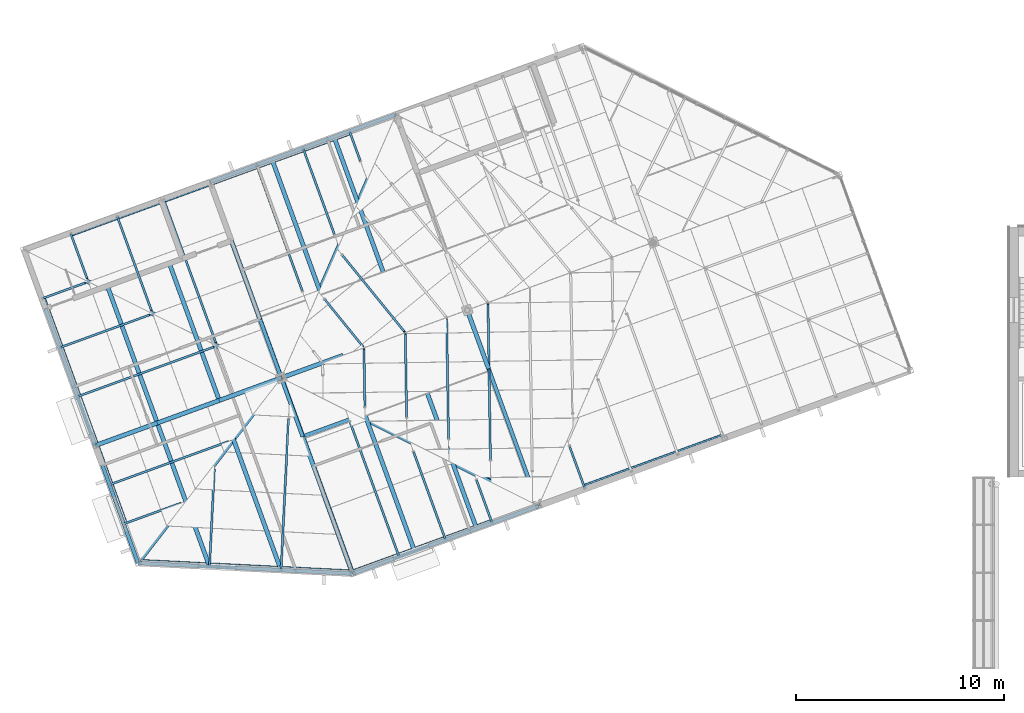
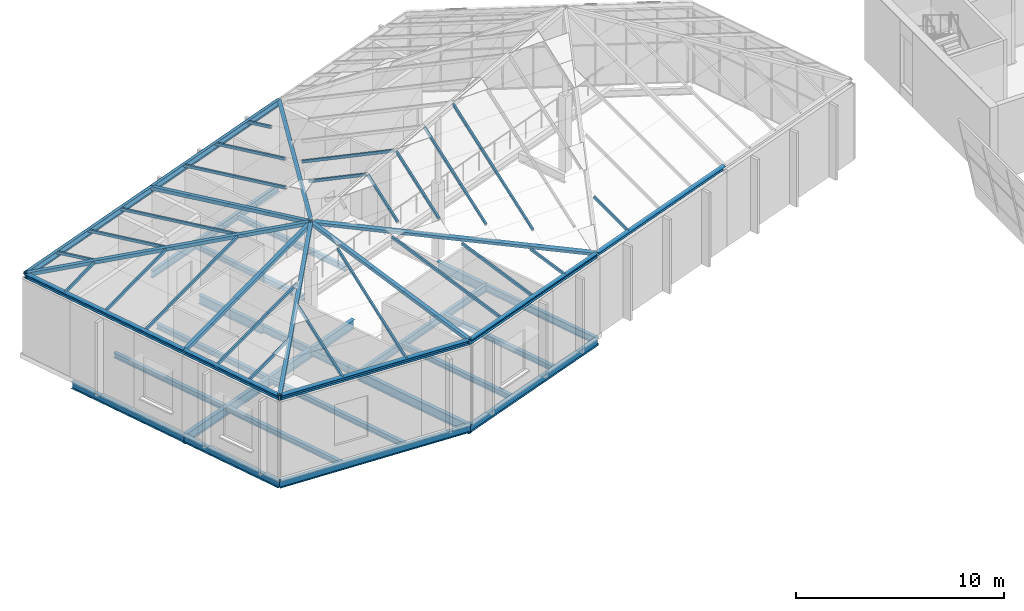
# One storey, part 21 of 95: 31 beams, 30 members.
"""IFC4 building model written with IfcOpenShell, lengths in metres."""

import ifcopenshell
import ifcopenshell.guid

model = None  # the IFC model being written
_history = None  # IfcOwnerHistory: only IFC2X3 demands one
_inside = {}  # id of a spatial element -> (the spatial element, [elements in it])
_under = {}  # id of a project, library or spatial element -> (it, [spatial elements below it])
_declared = {}  # id of a project -> (the project, [libraries it declares])
_typed = {}  # id of a type object -> (the type object, [elements of that type])
_made_of = {}  # id of a material, layer set ... -> (it, [elements and type objects made of it])


def new_model(schema):
    """Start an empty IFC model of exactly this schema.

    Asked for "IFC4X3", IfcOpenShell would pick the latest addendum, in which some entities
    have other attributes; the version numbers below select the first issue.
    IFC2X3 requires an IfcOwnerHistory on every rooted entity: one is made here for all.
    """
    global model, _history
    if schema == "IFC4X3":
        model = ifcopenshell.file(schema_version=(4, 3, 0, 0))
    else:
        model = ifcopenshell.file(schema=schema)
    _inside.clear()
    _under.clear()
    _declared.clear()
    _typed.clear()
    _made_of.clear()
    _history = None
    if model.schema == "IFC2X3":
        org = make("IfcOrganization", Name="unknown")
        user = make(
            "IfcPersonAndOrganization",
            ThePerson=make("IfcPerson", FamilyName="unknown"),
            TheOrganization=org,
        )
        app = make(
            "IfcApplication",
            ApplicationDeveloper=org,
            Version="unknown",
            ApplicationFullName="unknown",
            ApplicationIdentifier="unknown",
        )
        _history = make(
            "IfcOwnerHistory",
            OwningUser=user,
            OwningApplication=app,
            ChangeAction="ADDED",
            CreationDate=0,
        )
    return model


def make(cls, **values):
    """One entity of the class cls with the attributes given. An attribute that is None is left unset."""
    return model.create_entity(
        cls, **{name: value for name, value in values.items() if value is not None}
    )


def rooted(cls, **values):
    """An entity with a GlobalId (a new one), such as an element, a storey or a relation."""
    return make(cls, GlobalId=ifcopenshell.guid.new(), OwnerHistory=_history, **values)


def si_unit(unit_type, name, prefix=None):
    """IfcSIUnit, for example si_unit("LENGTHUNIT", "METRE", prefix="MILLI")."""
    return make("IfcSIUnit", UnitType=unit_type, Prefix=prefix, Name=name)


def assignment(units):
    """IfcUnitAssignment: the units of a project."""
    return None if units is None else make("IfcUnitAssignment", Units=units)


def point(xyz):
    """IfcCartesianPoint."""
    return None if xyz is None else make("IfcCartesianPoint", Coordinates=xyz)


def direction(xyz):
    """IfcDirection."""
    return None if xyz is None else make("IfcDirection", DirectionRatios=xyz)


def frame(location, z_axis=None, x_axis=None):
    """IfcAxis2Placement3D, a coordinate frame: its origin and axes. An axis left out is left unset."""
    return make(
        "IfcAxis2Placement3D",
        Location=point(location),
        Axis=direction(z_axis),
        RefDirection=direction(x_axis),
    )


def frame_2d(location, x_axis=None):
    """IfcAxis2Placement2D, a coordinate frame in the plane: its origin and x axis."""
    return make(
        "IfcAxis2Placement2D", Location=point(location), RefDirection=direction(x_axis)
    )


def origin():
    """The frame at (0, 0, 0) with its axes left unset."""
    return frame((0.0, 0.0, 0.0))


def origin_2d():
    """The frame at (0, 0) in the plane with its x axis left unset."""
    return frame_2d((0.0, 0.0))


def place(relative_to, where):
    """IfcLocalPlacement: puts the frame where relative to a parent placement (None: the world)."""
    return make(
        "IfcLocalPlacement", PlacementRelTo=relative_to, RelativePlacement=where
    )


def context(
    kind, dimensions, precision=None, world=None, true_north=None, identifier=None
):
    """IfcGeometricRepresentationContext, for example the 3D "Model" context."""
    return make(
        "IfcGeometricRepresentationContext",
        ContextIdentifier=identifier,
        ContextType=kind,
        CoordinateSpaceDimension=dimensions,
        Precision=precision,
        WorldCoordinateSystem=world,
        TrueNorth=true_north,
    )


def subcontext(parent, identifier, kind, view, scale=None):
    """IfcGeometricRepresentationSubContext, for example "Body" below "Model"."""
    return make(
        "IfcGeometricRepresentationSubContext",
        ContextIdentifier=identifier,
        ContextType=kind,
        ParentContext=parent,
        TargetScale=scale,
        TargetView=view,
    )


def project(units=None, contexts=None):
    """IfcProject with its units and contexts."""
    return rooted(
        "IfcProject",
        Name="project",
        RepresentationContexts=contexts,
        UnitsInContext=assignment(units),
    )


def spatial(cls, under=None, at=None, **own):
    """A site, building, storey or space (cls), placed at a placement, below another one or the project."""
    s = rooted(cls, ObjectPlacement=at, **own)
    if under is not None:
        _under.setdefault(under.id(), (under, []))[1].append(s)
    return s


def profile(cls, at=None, kind="AREA", **sizes):
    """A parametric profile (cls). Its sizes go by their IFC names, for example OverallWidth=200.0."""
    return make(cls, ProfileType=kind, Position=at, **sizes)


def hollow_rectangle(**sizes):
    """IfcRectangleHollowProfileDef."""
    return profile("IfcRectangleHollowProfileDef", **sizes)


def i_section(**sizes):
    """IfcIShapeProfileDef."""
    return profile("IfcIShapeProfileDef", **sizes)


def extrude(swept, where, along, depth):
    """IfcExtrudedAreaSolid: the profile swept, set in the frame where, extruded along a direction by depth."""
    return make(
        "IfcExtrudedAreaSolid",
        SweptArea=swept,
        Position=where,
        ExtrudedDirection=direction(along),
        Depth=depth,
    )


def shape(context_of_items, identifier, shape_type, items):
    """IfcShapeRepresentation: the items that make up one representation, for example the "Body"."""
    return make(
        "IfcShapeRepresentation",
        ContextOfItems=context_of_items,
        RepresentationIdentifier=identifier,
        RepresentationType=shape_type,
        Items=items,
    )


def material(Name=None, Category=None):
    """IfcMaterial."""
    return make("IfcMaterial", Name=Name, Category=Category)


def material_profile(
    of_material, cross_section, Name=None, Category=None, Priority=None
):
    """IfcMaterialProfile: a cross section and its material."""
    return make(
        "IfcMaterialProfile",
        Name=Name,
        Material=of_material,
        Profile=cross_section,
        Priority=Priority,
        Category=Category,
    )


def profile_set(profiles, Name=None, composite=None):
    """IfcMaterialProfileSet."""
    return make(
        "IfcMaterialProfileSet",
        Name=Name,
        MaterialProfiles=profiles,
        CompositeProfile=composite,
    )


def made_of(thing, what):
    """Note that an element or type object is made of a material, layer set ...; save() writes the relation."""
    if what is not None:
        _made_of.setdefault(what.id(), (what, []))[1].append(thing)
    return thing


def type_object(cls, material=None, **own):
    """A type object (cls), such as IfcWallType, which elements share."""
    return made_of(rooted(cls, **own), material)


def element(
    cls,
    number,
    at=None,
    inside=None,
    cuts=None,
    type_object=None,
    material=None,
    context=None,
    identifier="Body",
    shape_type=None,
    held_by="IfcProductDefinitionShape",
    body=None,
    shapes=None,
    **own,
):
    """One element of the class cls, such as IfcWall. Its Tag is "e" and its number.

    at: its placement. inside: the storey or other place that contains it. cuts: it is an
    opening in that element (IfcRelVoidsElement). A single representation is given by context,
    identifier, shape_type and body (its items); several are given by shapes. held_by: the class
    of the entity that holds the representations. save() writes the other relations.
    """
    e = rooted(cls, Tag="e%d" % number, ObjectPlacement=at, **own)
    if body is not None:
        shapes = [shape(context, identifier, shape_type, body)]
    if shapes is not None:
        e.Representation = make(held_by, Representations=shapes)
    if inside is not None:
        _inside.setdefault(inside.id(), (inside, []))[1].append(e)
    if cuts is not None:
        rooted(
            "IfcRelVoidsElement", RelatingBuildingElement=cuts, RelatedOpeningElement=e
        )
    if type_object is not None:
        _typed.setdefault(type_object.id(), (type_object, []))[1].append(e)
    return made_of(e, material)


def aggregate(whole, parts):
    """IfcRelAggregates: a whole, such as a stair, and the parts it consists of."""
    return rooted("IfcRelAggregates", RelatingObject=whole, RelatedObjects=parts)


def save(model, path):
    """Write the relations noted so far, then the file.

    IfcRelAggregates (storeys below a building ...), IfcRelContainedInSpatialStructure (elements
    in a storey), IfcRelDefinesByType, IfcRelAssociatesMaterial and IfcRelDeclares: one each for
    every whole, place, type object, material and project.
    """
    for whole, parts in _under.values():
        aggregate(whole, parts)
    for where, things in _inside.values():
        rooted(
            "IfcRelContainedInSpatialStructure",
            RelatedElements=things,
            RelatingStructure=where,
        )
    for kind, things in _typed.values():
        rooted("IfcRelDefinesByType", RelatedObjects=things, RelatingType=kind)
    for what, things in _made_of.values():
        rooted("IfcRelAssociatesMaterial", RelatedObjects=things, RelatingMaterial=what)
    for by, libraries in _declared.values():
        rooted("IfcRelDeclares", RelatingContext=by, RelatedDefinitions=libraries)
    model.write(path)


model = new_model("IFC4")

# Units and contexts
model_context = context("Model", 3, precision=1e-05, world=origin(), true_north=direction((0.0, 1.0)))
body_context = subcontext(model_context, "Body", "Model", "MODEL_VIEW")
ifc_project = project(units=[si_unit("LENGTHUNIT", "METRE"), si_unit("AREAUNIT", "SQUARE_METRE"), si_unit("VOLUMEUNIT", "CUBIC_METRE"), si_unit("PLANEANGLEUNIT", "RADIAN"), si_unit("MASSUNIT", "GRAM", prefix="KILO")], contexts=[model_context])

# Site, building, storey
site_placement = place(None, origin())
site = spatial("IfcSite", under=ifc_project, at=site_placement, CompositionType="ELEMENT")
building_placement = place(site_placement, origin())
building = spatial("IfcBuilding", under=site, at=building_placement, Name="Windward Yard Aquatics Centre", CompositionType="ELEMENT")
storey_placement = place(building_placement, frame((0.0, 0.0, 9.39990234375)))
storey = spatial("IfcBuildingStorey", under=building, at=storey_placement, Name="L02", CompositionType="ELEMENT", Elevation=9.39990234375)

# Members
ifc_material = material(Name="Steel S355", Category="steel")
ifc_material_profile_1 = material_profile(ifc_material, hollow_rectangle(XDim=0.202880859375, YDim=0.202880859375, WallThickness=0.0087890625, at=origin_2d()), Name="HSS203x203x9.5")
ifc_profile_set_1 = profile_set([ifc_material_profile_1], Name="Steel S355")
member_type_1 = type_object("IfcMemberType", Name="F HSS203x203x9.5 brace", PredefinedType="BRACE", material=ifc_profile_set_1)
member_1_placement = place(storey_placement, frame((10.215087890625, 79.88720703125, 4.6162109375), z_axis=(0.597825330779, 0.772799633915, 0.213038962868), x_axis=(-0.791833879777, 0.610699646097, 0.006711862211)))
element("IfcMember", 1, at=member_1_placement, inside=storey, type_object=member_type_1, Name="F.RF.H.02", PredefinedType="BRACE", context=body_context, shape_type="SweptSolid", body=[
    extrude(hollow_rectangle(XDim=0.202880859375, YDim=0.202880859375, WallThickness=0.0087890625, at=origin_2d()), origin(), (0.0, 0.0, 1.0), 11.5),
])
member_2_placement = place(storey_placement, frame((20.48828125, 79.386962890625, 4.61669921875), z_axis=(-0.332189484633, 0.912697070705, 0.237979418072), x_axis=(-0.942585474443, -0.330428094842, -0.048475741431)))
element("IfcMember", 2, at=member_2_placement, inside=storey, type_object=member_type_1, Name="F.RF.H.05", PredefinedType="BRACE", context=body_context, shape_type="SweptSolid", body=[
    extrude(hollow_rectangle(XDim=0.202880859375, YDim=0.202880859375, WallThickness=0.0087890625, at=origin_2d()), origin(), (0.0, 0.0, 1.0), 10.2958984375),
])
member_3_placement = place(storey_placement, frame((8.177978515625, 85.513427734375, 4.616943359375), z_axis=(0.909922126638, 0.331186172494, 0.249714722442), x_axis=(-0.342021605027, 0.939692088769, 0.0)))
element("IfcMember", 3, at=member_3_placement, inside=storey, type_object=member_type_1, Name="F.RF.H.07", PredefinedType="BRACE", context=body_context, shape_type="SweptSolid", body=[
    extrude(hollow_rectangle(XDim=0.202880859375, YDim=0.202880859375, WallThickness=0.0087890625, at=origin_2d()), origin(), (0.0, 0.0, 1.0), 9.81103515625),
])
for number, where, z_axis, x_axis, name in (
    (4, (29.414306640625, 82.643310546875, 4.618896484375), (-0.88138456529, 0.438836277579, 0.174882730849), (-0.470374124398, -0.849497031502, -0.238962291098), "F.RF.H.10"),
    (5, (22.60107421875, 101.3623046875, 4.618896484375), (-0.393089903602, -0.902716080717, 0.174882833066), (0.906378027631, -0.348390436964, 0.238962286691), "F.RF.H.21"),
):
    element("IfcMember", number, at=place(storey_placement, frame(where, z_axis=z_axis, x_axis=x_axis)), inside=storey, type_object=member_type_1, Name=name, PredefinedType="BRACE", context=body_context, shape_type="SweptSolid", body=[
        extrude(hollow_rectangle(XDim=0.202880859375, YDim=0.202880859375, WallThickness=0.0087890625, at=origin_2d()), origin(), (0.0, 0.0, 1.0), 14.009033203125),
    ])
member_4_placement = place(storey_placement, frame((13.663818359375, 98.116943359375, 4.616455078125), z_axis=(0.332198548774, -0.912698261387, 0.237962198369), x_axis=(0.939691446498, 0.342023369638, 0.0)))
element("IfcMember", 6, at=member_4_placement, inside=storey, type_object=member_type_1, Name="F.RF.H.23", PredefinedType="BRACE", context=body_context, shape_type="SweptSolid", body=[
    extrude(hollow_rectangle(XDim=0.202880859375, YDim=0.202880859375, WallThickness=0.0087890625, at=origin_2d()), origin(), (0.0, 0.0, 1.0), 10.295654296875),
])
member_5_placement = place(storey_placement, frame((4.74755859375, 94.888916015625, 4.615234375), z_axis=(0.88138456529, -0.438836277579, 0.174882730849), x_axis=(0.444324872367, 0.895824708788, 0.008573151176)))
element("IfcMember", 7, at=member_5_placement, inside=storey, type_object=member_type_1, Name="F.RF.H.25", PredefinedType="BRACE", context=body_context, shape_type="SweptSolid", body=[
    extrude(hollow_rectangle(XDim=0.202880859375, YDim=0.202880859375, WallThickness=0.0087890625, at=origin_2d()), origin(), (0.0, 0.0, 1.0), 14.009033203125),
])
ifc_material_profile_2 = material_profile(ifc_material, hollow_rectangle(XDim=0.10009765625, YDim=0.14990234375, WallThickness=0.006103515625, at=origin_2d()), Name="RHS150x100x6")
ifc_profile_set_2 = profile_set([ifc_material_profile_2], Name="Steel S355")
member_type_2 = type_object("IfcMemberType", Name="F RHS150x100x6 rafter", PredefinedType="RAFTER", material=ifc_profile_set_2)
member_6_placement = place(storey_placement, frame((31.635498046875, 83.4609375, 4.650146484375), z_axis=(-0.307713443006, 0.845475933141, 0.436443448196), x_axis=(-0.939697846828, -0.342005784551, 0.0)))
element("IfcMember", 8, at=member_6_placement, inside=storey, type_object=member_type_2, Name="F.RF.R.01.03", PredefinedType="RAFTER", context=body_context, shape_type="SweptSolid", body=[
    extrude(hollow_rectangle(XDim=0.10009765625, YDim=0.14990234375, WallThickness=0.006103515625, at=origin_2d()), origin(), (0.0, 0.0, 1.0), 2.40478515625),
])
member_7_placement = place(storey_placement, frame((15.8935546875, 98.935302734375, 4.642333984375), z_axis=(0.332171990541, -0.912714505976, 0.237936964933), x_axis=(0.939702190626, 0.341993849262, 0.0)))
element("IfcMember", 9, at=member_7_placement, inside=storey, type_object=member_type_2, Name="F.RF.R.06.01", PredefinedType="RAFTER", context=body_context, shape_type="SweptSolid", body=[
    extrude(hollow_rectangle(XDim=0.10009765625, YDim=0.14990234375, WallThickness=0.006103515625, at=origin_2d()), origin(), (0.0, 0.0, 1.0), 6.5986328125),
])
member_8_placement = place(storey_placement, frame((18.125244140625, 99.74755859375, 4.642333984375), z_axis=(0.332204246738, -0.912696563302, 0.237960756818), x_axis=(0.939689356498, 0.342029111749, 0.0)))
element("IfcMember", 10, at=member_8_placement, inside=storey, type_object=member_type_2, Name="F.RF.R.06.02", PredefinedType="RAFTER", context=body_context, shape_type="SweptSolid", body=[
    extrude(hollow_rectangle(XDim=0.10009765625, YDim=0.14990234375, WallThickness=0.006103515625, at=origin_2d()), origin(), (0.0, 0.0, 1.0), 4.515380859375),
])
member_9_placement = place(storey_placement, frame((20.357177734375, 100.559814453125, 4.642333984375), z_axis=(0.332101722114, -0.91272885618, 0.237980001818), x_axis=(0.939727166474, 0.341925214909, 0.0)))
element("IfcMember", 11, at=member_9_placement, inside=storey, type_object=member_type_2, Name="F.RF.R.06.03", PredefinedType="RAFTER", context=body_context, shape_type="SweptSolid", body=[
    extrude(hollow_rectangle(XDim=0.10009765625, YDim=0.14990234375, WallThickness=0.006103515625, at=origin_2d()), origin(), (0.0, 0.0, 1.0), 1.551025390625),
])
member_10_placement = place(storey_placement, frame((6.96630859375, 95.68603515625, 4.642333984375), z_axis=(0.33230957126, -0.91267255475, 0.237905772639), x_axis=(0.939651607054, 0.342132806612, 0.0)))
element("IfcMember", 12, at=member_10_placement, inside=storey, type_object=member_type_2, Name="F.RF.R.07.01", PredefinedType="RAFTER", context=body_context, shape_type="SweptSolid", body=[
    extrude(hollow_rectangle(XDim=0.10009765625, YDim=0.14990234375, WallThickness=0.006103515625, at=origin_2d()), origin(), (0.0, 0.0, 1.0), 2.3818359375),
])
member_11_placement = place(storey_placement, frame((9.1982421875, 96.498291015625, 4.642333984375), z_axis=(0.332184949034, -0.912708075152, 0.237943542019), x_axis=(0.939697128487, 0.342007758266, 0.0)))
element("IfcMember", 13, at=member_11_placement, inside=storey, type_object=member_type_2, Name="F.RF.R.07.02", PredefinedType="RAFTER", context=body_context, shape_type="SweptSolid", body=[
    extrude(hollow_rectangle(XDim=0.10009765625, YDim=0.14990234375, WallThickness=0.006103515625, at=origin_2d()), origin(), (0.0, 0.0, 1.0), 4.955810546875),
])
member_12_placement = place(storey_placement, frame((11.429931640625, 97.310546875, 4.642333984375), z_axis=(0.332213048979, -0.912694233429, 0.237957404495), x_axis=(0.939686163123, 0.342037885088, 0.0)))
element("IfcMember", 14, at=member_12_placement, inside=storey, type_object=member_type_2, Name="F.RF.R.07.03", PredefinedType="RAFTER", context=body_context, shape_type="SweptSolid", body=[
    extrude(hollow_rectangle(XDim=0.10009765625, YDim=0.14990234375, WallThickness=0.006103515625, at=origin_2d()), origin(), (0.0, 0.0, 1.0), 7.52978515625),
])
member_13_placement = place(storey_placement, frame((7.31689453125, 87.8603515625, 4.642578125), z_axis=(0.909918739404, 0.331182782868, 0.249731559907), x_axis=(-0.342019638237, 0.939692804623, 0.0)))
element("IfcMember", 15, at=member_13_placement, inside=storey, type_object=member_type_2, Name="F.RF.R.08.01", PredefinedType="RAFTER", context=body_context, shape_type="SweptSolid", body=[
    extrude(hollow_rectangle(XDim=0.10009765625, YDim=0.14990234375, WallThickness=0.006103515625, at=origin_2d()), origin(), (0.0, 0.0, 1.0), 7.1728515625),
])
member_14_placement = place(storey_placement, frame((6.4619140625, 90.209716796875, 4.642578125), z_axis=(0.909927158381, 0.331155344662, 0.249737270233), x_axis=(-0.341991822349, 0.939702928295, 0.0)))
element("IfcMember", 16, at=member_14_placement, inside=storey, type_object=member_type_2, Name="F.RF.R.08.02", PredefinedType="RAFTER", context=body_context, shape_type="SweptSolid", body=[
    extrude(hollow_rectangle(XDim=0.10009765625, YDim=0.14990234375, WallThickness=0.006103515625, at=origin_2d()), origin(), (0.0, 0.0, 1.0), 4.7197265625),
])
member_15_placement = place(storey_placement, frame((5.606689453125, 92.558837890625, 4.642578125), z_axis=(0.909907418884, 0.331227836744, 0.249713053774), x_axis=(-0.342064480394, 0.939676482228, 0.0)))
element("IfcMember", 17, at=member_15_placement, inside=storey, type_object=member_type_2, Name="F.RF.R.08.03", PredefinedType="RAFTER", context=body_context, shape_type="SweptSolid", body=[
    extrude(hollow_rectangle(XDim=0.10009765625, YDim=0.14990234375, WallThickness=0.006103515625, at=origin_2d()), origin(), (0.0, 0.0, 1.0), 2.267333984375),
])
member_16_placement = place(storey_placement, frame((9.5400390625, 81.752197265625, 4.642578125), z_axis=(0.909912734569, 0.331206589227, 0.249721866728), x_axis=(-0.342043340544, 0.939684177365, 0.0)))
element("IfcMember", 18, at=member_16_placement, inside=storey, type_object=member_type_2, Name="F.RF.R.09.01", PredefinedType="RAFTER", context=body_context, shape_type="SweptSolid", body=[
    extrude(hollow_rectangle(XDim=0.10009765625, YDim=0.14990234375, WallThickness=0.006103515625, at=origin_2d()), origin(), (0.0, 0.0, 1.0), 2.96630859375),
])
member_17_placement = place(storey_placement, frame((8.85595703125, 83.631591796875, 4.642578125), z_axis=(0.909903144553, 0.33121194743, 0.249749701525), x_axis=(-0.342051409927, 0.939681240084, 0.0)))
element("IfcMember", 19, at=member_17_placement, inside=storey, type_object=member_type_2, Name="F.RF.R.09.02", PredefinedType="RAFTER", context=body_context, shape_type="SweptSolid", body=[
    extrude(hollow_rectangle(XDim=0.10009765625, YDim=0.14990234375, WallThickness=0.006103515625, at=origin_2d()), origin(), (0.0, 0.0, 1.0), 6.23681640625),
])
member_18_placement = place(storey_placement, frame((17.062744140625, 79.55224609375, 4.642822265625), z_axis=(0.047783529818, 0.96525337793, 0.256909810388), x_axis=(-0.998776943607, 0.049443067445, 0.0)))
element("IfcMember", 20, at=member_18_placement, inside=storey, type_object=member_type_2, Name="F.RF.R.10.01", PredefinedType="RAFTER", context=body_context, shape_type="SweptSolid", body=[
    extrude(hollow_rectangle(XDim=0.10009765625, YDim=0.14990234375, WallThickness=0.006103515625, at=origin_2d()), origin(), (0.0, 0.0, 1.0), 7.490234375),
])
member_19_placement = place(storey_placement, frame((13.631103515625, 79.72216796875, 4.642822265625), z_axis=(0.047753214835, 0.965253676931, 0.256914323548), x_axis=(-0.9987784929, 0.049411760953, 0.0)))
element("IfcMember", 21, at=member_19_placement, inside=storey, type_object=member_type_2, Name="F.RF.R.10.02", PredefinedType="RAFTER", context=body_context, shape_type="SweptSolid", body=[
    extrude(hollow_rectangle(XDim=0.10009765625, YDim=0.14990234375, WallThickness=0.006103515625, at=origin_2d()), origin(), (0.0, 0.0, 1.0), 4.81591796875),
])
member_20_placement = place(storey_placement, frame((27.179443359375, 81.815673828125, 4.642333984375), z_axis=(-0.332154380699, 0.91271667693, 0.237953220271), x_axis=(-0.939708278579, -0.341977120829, 0.0)))
element("IfcMember", 22, at=member_20_placement, inside=storey, type_object=member_type_2, Name="F.RF.R.11.01", PredefinedType="RAFTER", context=body_context, shape_type="SweptSolid", body=[
    extrude(hollow_rectangle(XDim=0.10009765625, YDim=0.14990234375, WallThickness=0.006103515625, at=origin_2d()), origin(), (0.0, 0.0, 1.0), 2.24169921875),
])
member_21_placement = place(storey_placement, frame((24.947509765625, 81.00341796875, 4.642333984375), z_axis=(-0.332200314023, 0.912704493338, 0.237935830012), x_axis=(-0.939691612947, -0.342022912328, 0.0)))
element("IfcMember", 23, at=member_21_placement, inside=storey, type_object=member_type_2, Name="F.RF.R.11.02", PredefinedType="RAFTER", context=body_context, shape_type="SweptSolid", body=[
    extrude(hollow_rectangle(XDim=0.10009765625, YDim=0.14990234375, WallThickness=0.006103515625, at=origin_2d()), origin(), (0.0, 0.0, 1.0), 4.615234375),
])
member_22_placement = place(storey_placement, frame((22.7158203125, 80.19091796875, 4.642333984375), z_axis=(-0.332181056346, 0.912704698526, 0.237961927823), x_axis=(-0.939698009887, -0.342005336529, 0.0)))
element("IfcMember", 24, at=member_22_placement, inside=storey, type_object=member_type_2, Name="F.RF.R.11.03", PredefinedType="RAFTER", context=body_context, shape_type="SweptSolid", body=[
    extrude(hollow_rectangle(XDim=0.10009765625, YDim=0.14990234375, WallThickness=0.006103515625, at=origin_2d()), origin(), (0.0, 0.0, 1.0), 7.0791015625),
])
member_23_placement = place(storey_placement, frame((27.1123046875, 84.796142578125, 5.4921875), z_axis=(-0.014838254692, 0.932716304149, 0.360305595532), x_axis=(-0.999873481485, -0.015906634539, 0.0)))
element("IfcMember", 25, at=member_23_placement, inside=storey, type_object=member_type_2, Name="F.RF.R.12.04", PredefinedType="RAFTER", context=body_context, shape_type="SweptSolid", body=[
    extrude(hollow_rectangle(XDim=0.10009765625, YDim=0.14990234375, WallThickness=0.006103515625, at=origin_2d()), origin(), (0.0, 0.0, 1.0), 8.045654296875),
])
member_24_placement = place(storey_placement, frame((25.1005859375, 85.816650390625, 5.898681640625), z_axis=(-0.014820079517, 0.932716524476, 0.360305773215), x_axis=(-0.999873791238, -0.015887151888, 0.0)))
element("IfcMember", 26, at=member_24_placement, inside=storey, type_object=member_type_2, Name="F.RF.R.12.05", PredefinedType="RAFTER", context=body_context, shape_type="SweptSolid", body=[
    extrude(hollow_rectangle(XDim=0.10009765625, YDim=0.14990234375, WallThickness=0.006103515625, at=origin_2d()), origin(), (0.0, 0.0, 1.0), 6.177734375),
])
member_25_placement = place(storey_placement, frame((23.089111328125, 86.84521484375, 6.30810546875), z_axis=(-0.014816697626, 0.932713953989, 0.360312566401), x_axis=(-0.999873848126, -0.015883571172, 0.0)))
element("IfcMember", 27, at=member_25_placement, inside=storey, type_object=member_type_2, Name="F.RF.R.12.06", PredefinedType="RAFTER", context=body_context, shape_type="SweptSolid", body=[
    extrude(hollow_rectangle(XDim=0.10009765625, YDim=0.14990234375, WallThickness=0.006103515625, at=origin_2d()), origin(), (0.0, 0.0, 1.0), 4.300537109375),
])
member_26_placement = place(storey_placement, frame((21.085693359375, 87.352294921875, 6.516357421875), z_axis=(-0.014814225564, 0.932723284689, 0.360288513444), x_axis=(-0.999873892733, -0.015880762951, 0.0)))
element("IfcMember", 28, at=member_26_placement, inside=storey, type_object=member_type_2, Name="F.RF.R.12.07", PredefinedType="RAFTER", context=body_context, shape_type="SweptSolid", body=[
    extrude(hollow_rectangle(XDim=0.10009765625, YDim=0.14990234375, WallThickness=0.006103515625, at=origin_2d()), origin(), (0.0, 0.0, 1.0), 2.98291015625),
])
member_27_placement = place(storey_placement, frame((19.14208984375, 92.53173828125, 6.451416015625), z_axis=(0.588160008112, -0.724025819147, 0.360353185177), x_axis=(0.776172218365, 0.630520965106, 0.0)))
element("IfcMember", 29, at=member_27_placement, inside=storey, type_object=member_type_2, Name="F.RF.R.13.02", PredefinedType="RAFTER", context=body_context, shape_type="SweptSolid", body=[
    extrude(hollow_rectangle(XDim=0.10009765625, YDim=0.14990234375, WallThickness=0.006103515625, at=origin_2d()), origin(), (0.0, 0.0, 1.0), 3.16259765625),
])
member_28_placement = place(storey_placement, frame((19.991943359375, 94.64990234375, 6.0234375), z_axis=(0.588148697951, -0.724059771825, 0.360303422024), x_axis=(0.776192621592, 0.630495847874, 0.0)))
element("IfcMember", 30, at=member_28_placement, inside=storey, type_object=member_type_2, Name="F.RF.R.13.03", PredefinedType="RAFTER", context=body_context, shape_type="SweptSolid", body=[
    extrude(hollow_rectangle(XDim=0.10009765625, YDim=0.14990234375, WallThickness=0.006103515625, at=origin_2d()), origin(), (0.0, 0.0, 1.0), 5.0908203125),
])

# Beams
ifc_material_profile_3 = material_profile(ifc_material, i_section(OverallWidth=0.202880859375, OverallDepth=0.302001953125, WebThickness=0.007568359375, FlangeThickness=0.01318359375, at=origin_2d()), Name="W310x60")
ifc_profile_set_3 = profile_set([ifc_material_profile_3], Name="Steel S355")
beam_type_1 = type_object("IfcBeamType", Name="F W310x60 beam", PredefinedType="BEAM", material=ifc_profile_set_3)
beam_1_placement = place(storey_placement, frame((10.2001953125, 79.911376953125, 4.5693359375), z_axis=(0.998777607112, -0.049429662462, 0.0), x_axis=(0.04777059248, 0.965254377033, 0.256908462519)))
element("IfcBeam", 31, at=beam_1_placement, inside=storey, type_object=beam_type_1, Name="F.RF.E.03", PredefinedType="BEAM", context=body_context, shape_type="SweptSolid", body=[
    extrude(i_section(OverallWidth=0.202880859375, OverallDepth=0.302001953125, WebThickness=0.007568359375, FlangeThickness=0.01318359375, at=origin_2d()), origin(), (0.0, 0.0, 1.0), 10.30810546875),
])
beam_2_placement = place(storey_placement, frame((10.24169921875, 79.87939453125, 4.569091796875), z_axis=(-0.342001150825, 0.939699533273, 0.0), x_axis=(-0.909927007258, -0.33116551901, -0.249724328972)))
element("IfcBeam", 32, at=beam_2_placement, inside=storey, type_object=beam_type_1, Name="F.RF.E.04", PredefinedType="BEAM", context=body_context, shape_type="SweptSolid", body=[
    extrude(i_section(OverallWidth=0.202880859375, OverallDepth=0.302001953125, WebThickness=0.007568359375, FlangeThickness=0.01318359375, at=origin_2d()), origin(), (0.0, 0.0, 1.0), 6.0),
])
beam_3_placement = place(storey_placement, frame((20.477783203125, 79.395751953125, 4.568603515625), z_axis=(0.939692088769, 0.342021605027, 0.0), x_axis=(-0.332196833165, 0.91269888057, 0.237962218516)))
element("IfcBeam", 33, at=beam_3_placement, inside=storey, type_object=beam_type_1, Name="F.RF.E.06", PredefinedType="BEAM", context=body_context, shape_type="SweptSolid", body=[
    extrude(i_section(OverallWidth=0.202880859375, OverallDepth=0.302001953125, WebThickness=0.007568359375, FlangeThickness=0.01318359375, at=origin_2d()), origin(), (0.0, 0.0, 1.0), 9.500244140625),
])
beam_4_placement = place(storey_placement, frame((8.189697265625, 85.517578125, 4.569091796875), z_axis=(-0.342015523058, 0.939694302413, 0.0), x_axis=(-0.909921942128, -0.331179435886, -0.249724328972)))
element("IfcBeam", 34, at=beam_4_placement, inside=storey, type_object=beam_type_1, Name="F.RF.E.08", PredefinedType="BEAM", context=body_context, shape_type="SweptSolid", body=[
    extrude(i_section(OverallWidth=0.202880859375, OverallDepth=0.302001953125, WebThickness=0.007568359375, FlangeThickness=0.01318359375, at=origin_2d()), origin(), (0.0, 0.0, 1.0), 10.0),
])
beam_5_placement = place(storey_placement, frame((29.392333984375, 82.6796875, 4.581787109375), z_axis=(0.939689082478, 0.342029864589, 0.0), x_axis=(-0.307744951904, 0.845495091018, 0.436384114791)))
element("IfcBeam", 35, at=beam_5_placement, inside=storey, type_object=beam_type_1, Name="F.RF.E.11", PredefinedType="BEAM", context=body_context, shape_type="SweptSolid", body=[
    extrude(i_section(OverallWidth=0.202880859375, OverallDepth=0.302001953125, WebThickness=0.007568359375, FlangeThickness=0.01318359375, at=origin_2d()), origin(), (0.0, 0.0, 1.0), 9.5),
])
beam_6_placement = place(storey_placement, frame((22.594970703125, 101.35498046875, 4.568603515625), z_axis=(-0.939697342025, -0.342007171549, 0.0), x_axis=(0.332182814296, -0.912703982924, 0.237962218516)))
element("IfcBeam", 36, at=beam_6_placement, inside=storey, type_object=beam_type_1, Name="F.RF.E.22", PredefinedType="BEAM", context=body_context, shape_type="SweptSolid", body=[
    extrude(i_section(OverallWidth=0.202880859375, OverallDepth=0.302001953125, WebThickness=0.007568359375, FlangeThickness=0.01318359375, at=origin_2d()), origin(), (0.0, 0.0, 1.0), 9.499755859375),
])
beam_7_placement = place(storey_placement, frame((13.66796875, 98.10595703125, 4.568603515625), z_axis=(-0.939689082478, -0.342029864589, 0.0), x_axis=(0.332204855466, -0.912695960637, 0.237962218516)))
element("IfcBeam", 37, at=beam_7_placement, inside=storey, type_object=beam_type_1, Name="F.RF.E.24", PredefinedType="BEAM", context=body_context, shape_type="SweptSolid", body=[
    extrude(i_section(OverallWidth=0.202880859375, OverallDepth=0.302001953125, WebThickness=0.007568359375, FlangeThickness=0.01318359375, at=origin_2d()), origin(), (0.0, 0.0, 1.0), 9.5),
])
ifc_material_profile_4 = material_profile(ifc_material, i_section(OverallWidth=0.202880859375, OverallDepth=0.302001953125, WebThickness=0.007568359375, FlangeThickness=0.01318359375, at=origin_2d()), Name="W310x60")
ifc_profile_set_4 = profile_set([ifc_material_profile_4], Name="Steel S355")
beam_type_2 = type_object("IfcBeamType", Name="F W310x60 joist", PredefinedType="JOIST", material=ifc_profile_set_4)
beam_8_placement = place(storey_placement, frame((13.59619140625, 79.785888671875, -0.430908203125), z_axis=(-0.342024818846, 0.939690919023, 0.0), x_axis=(-0.939690919023, -0.342024818846, 0.0)))
element("IfcBeam", 38, at=beam_8_placement, inside=storey, type_object=beam_type_2, Name="F.BM.L02.S01", PredefinedType="JOIST", context=body_context, shape_type="SweptSolid", body=[
    extrude(i_section(OverallWidth=0.202880859375, OverallDepth=0.302001953125, WebThickness=0.007568359375, FlangeThickness=0.01318359375, at=origin_2d()), origin(), (0.0, 0.0, 1.0), 7.235107421875),
])
beam_9_placement = place(storey_placement, frame((11.12158203125, 86.584716796875, -0.430908203125), z_axis=(-0.342043114572, 0.939684259618, 0.0), x_axis=(-0.939684259618, -0.342043114572, 0.0)))
element("IfcBeam", 39, at=beam_9_placement, inside=storey, type_object=beam_type_2, Name="F.BM.L02.S02", PredefinedType="JOIST", context=body_context, shape_type="SweptSolid", body=[
    extrude(i_section(OverallWidth=0.202880859375, OverallDepth=0.302001953125, WebThickness=0.007568359375, FlangeThickness=0.01318359375, at=origin_2d()), origin(), (0.0, 0.0, 1.0), 6.989990234375),
])
beam_10_placement = place(storey_placement, frame((17.02783203125, 79.615966796875, -0.430908203125), z_axis=(-0.342026726958, 0.939690224514, 0.0), x_axis=(-0.939690224514, -0.342026726958, 0.0)))
element("IfcBeam", 40, at=beam_10_placement, inside=storey, type_object=beam_type_2, Name="F.BM.L02.S03", PredefinedType="JOIST", context=body_context, shape_type="SweptSolid", body=[
    extrude(i_section(OverallWidth=0.202880859375, OverallDepth=0.302001953125, WebThickness=0.007568359375, FlangeThickness=0.01318359375, at=origin_2d()), origin(), (0.0, 0.0, 1.0), 8.568603515625),
])
beam_11_placement = place(storey_placement, frame((14.09716796875, 87.667724609375, -0.430908203125), z_axis=(-0.34201227298, 0.93969548532, 0.0), x_axis=(-0.93969548532, -0.34201227298, 0.0)))
element("IfcBeam", 41, at=beam_11_placement, inside=storey, type_object=beam_type_2, Name="F.BM.L02.S04", PredefinedType="JOIST", context=body_context, shape_type="SweptSolid", body=[
    extrude(i_section(OverallWidth=0.202880859375, OverallDepth=0.302001953125, WebThickness=0.007568359375, FlangeThickness=0.01318359375, at=origin_2d()), origin(), (0.0, 0.0, 1.0), 6.989990234375),
])
for number, where, z_axis, x_axis, name in (
    (42, (23.43798828125, 80.52197265625, -0.430908203125), (-0.342027643385, 0.939689890954, 0.0), (-0.939689890954, -0.342027643385, 0.0), "F.BM.L02.S05"),
    (43, (18.99169921875, 92.738037109375, -0.430908203125), (-0.342027643385, 0.939689890954, 0.0), (-0.939689890954, -0.342027643385, 0.0), "F.BM.L02.S06"),
    (44, (26.41357421875, 81.60498046875, -0.430908203125), (-0.342027643385, 0.939689890954, 0.0), (-0.939689890954, -0.342027643385, 0.0), "F.BM.L02.S07"),
    (45, (21.96728515625, 93.821044921875, -0.430908203125), (-0.342027643385, 0.939689890954, 0.0), (-0.939689890954, -0.342027643385, 0.0), "F.BM.L02.S08"),
):
    element("IfcBeam", number, at=place(storey_placement, frame(where, z_axis=z_axis, x_axis=x_axis)), inside=storey, type_object=beam_type_2, Name=name, PredefinedType="JOIST", context=body_context, shape_type="SweptSolid", body=[
        extrude(i_section(OverallWidth=0.202880859375, OverallDepth=0.302001953125, WebThickness=0.007568359375, FlangeThickness=0.01318359375, at=origin_2d()), origin(), (0.0, 0.0, 1.0), 6.81884765625),
    ])
ifc_material_profile_5 = material_profile(ifc_material, i_section(OverallWidth=0.180908203125, OverallDepth=0.4169921875, WebThickness=0.010986328125, FlangeThickness=0.018310546875, at=origin_2d()), Name="W410x85")
ifc_profile_set_5 = profile_set([ifc_material_profile_5], Name="Steel S355")
beam_type_3 = type_object("IfcBeamType", Name="F W410x85 beam", PredefinedType="BEAM", material=ifc_profile_set_5)
beam_12_placement = place(storey_placement, frame((10.197998046875, 79.863525390625, -0.48828125), z_axis=(0.998777549242, -0.049430831779, 0.0), x_axis=(0.049430831779, 0.998777549242, 0.0)))
element("IfcBeam", 46, at=beam_12_placement, inside=storey, type_object=beam_type_3, Name="F.BM.L02.R01", PredefinedType="BEAM", context=body_context, shape_type="SweptSolid", body=[
    extrude(i_section(OverallWidth=0.180908203125, OverallDepth=0.4169921875, WebThickness=0.010986328125, FlangeThickness=0.018310546875, at=origin_2d()), origin(), (0.0, 0.0, 1.0), 10.307861328125),
])
beam_13_placement = place(storey_placement, frame((20.4931640625, 79.35400390625, -0.48828125), z_axis=(0.939697342025, 0.342007171549, 0.0), x_axis=(-0.342007171549, 0.939697342025, 0.0)))
element("IfcBeam", 47, at=beam_13_placement, inside=storey, type_object=beam_type_3, Name="F.BM.L02.R02", PredefinedType="BEAM", context=body_context, shape_type="SweptSolid", body=[
    extrude(i_section(OverallWidth=0.180908203125, OverallDepth=0.4169921875, WebThickness=0.010986328125, FlangeThickness=0.018310546875, at=origin_2d()), origin(), (0.0, 0.0, 1.0), 9.499755859375),
])
beam_14_placement = place(storey_placement, frame((22.5703125, 101.3935546875, -0.48828125), z_axis=(-0.939688862221, -0.34203046972, 0.0), x_axis=(0.34203046972, -0.939688862221, 0.0)))
element("IfcBeam", 48, at=beam_14_placement, inside=storey, type_object=beam_type_3, Name="F.BM.L02.R05", PredefinedType="BEAM", context=body_context, shape_type="SweptSolid", body=[
    extrude(i_section(OverallWidth=0.180908203125, OverallDepth=0.4169921875, WebThickness=0.010986328125, FlangeThickness=0.018310546875, at=origin_2d()), origin(), (0.0, 0.0, 1.0), 9.47998046875),
])
beam_15_placement = place(storey_placement, frame((5.755126953125, 92.070068359375, -0.48828125), z_axis=(0.34201227298, -0.93969548532, 0.0), x_axis=(0.93969548532, 0.34201227298, 0.0)))
element("IfcBeam", 49, at=beam_15_placement, inside=storey, type_object=beam_type_3, Name="F.BM.L02.R06", PredefinedType="BEAM", context=body_context, shape_type="SweptSolid", body=[
    extrude(i_section(OverallWidth=0.180908203125, OverallDepth=0.4169921875, WebThickness=0.010986328125, FlangeThickness=0.018310546875, at=origin_2d()), origin(), (0.0, 0.0, 1.0), 6.989990234375),
])
beam_16_placement = place(storey_placement, frame((8.145751953125, 85.501708984375, -0.48828125), z_axis=(0.342037080957, -0.939686455819, 0.0), x_axis=(0.939686455819, 0.342037080957, 0.0)))
element("IfcBeam", 50, at=beam_16_placement, inside=storey, type_object=beam_type_3, Name="F.BM.L02.R07", PredefinedType="BEAM", context=body_context, shape_type="SweptSolid", body=[
    extrude(i_section(OverallWidth=0.180908203125, OverallDepth=0.4169921875, WebThickness=0.010986328125, FlangeThickness=0.018310546875, at=origin_2d()), origin(), (0.0, 0.0, 1.0), 6.0),
])
for number, where, z_axis, x_axis, name in (
    (51, (16.046875, 91.56982421875, -0.48828125), (0.342037080957, -0.939686455819, 0.0), (0.939686455819, 0.342037080957, 0.0), "F.BM.L02.E02"),
    (52, (17.072998046875, 88.750732421875, -0.48828125), (0.342037080957, -0.939686455819, 0.0), (0.939686455819, 0.342037080957, 0.0), "F.BM.L02.E03"),
):
    element("IfcBeam", number, at=place(storey_placement, frame(where, z_axis=z_axis, x_axis=x_axis)), inside=storey, type_object=beam_type_3, Name=name, PredefinedType="BEAM", context=body_context, shape_type="SweptSolid", body=[
        extrude(i_section(OverallWidth=0.180908203125, OverallDepth=0.4169921875, WebThickness=0.010986328125, FlangeThickness=0.018310546875, at=origin_2d()), origin(), (0.0, 0.0, 1.0), 3.0),
    ])
beam_17_placement = place(storey_placement, frame((18.09912109375, 85.931640625, -0.48828125), z_axis=(0.939689082478, 0.342029864589, 0.0), x_axis=(-0.342029864589, 0.939689082478, 0.0)))
element("IfcBeam", 53, at=beam_17_placement, inside=storey, type_object=beam_type_3, Name="F.BM.L02.E04", PredefinedType="BEAM", context=body_context, shape_type="SweptSolid", body=[
    extrude(i_section(OverallWidth=0.180908203125, OverallDepth=0.4169921875, WebThickness=0.010986328125, FlangeThickness=0.018310546875, at=origin_2d()), origin(), (0.0, 0.0, 1.0), 9.5),
])
beam_18_placement = place(storey_placement, frame((27.026123046875, 89.180908203125, -0.48828125), z_axis=(0.342006283793, -0.939697665127, 0.0), x_axis=(0.939697665127, 0.342006283793, 0.0)))
element("IfcBeam", 54, at=beam_18_placement, inside=storey, type_object=beam_type_3, Name="F.BM.L02.E05", PredefinedType="BEAM", context=body_context, shape_type="SweptSolid", body=[
    extrude(i_section(OverallWidth=0.180908203125, OverallDepth=0.4169921875, WebThickness=0.010986328125, FlangeThickness=0.018310546875, at=origin_2d()), origin(), (0.0, 0.0, 1.0), 7.0),
])
ifc_material_profile_6 = material_profile(ifc_material, i_section(OverallWidth=0.208984375, OverallDepth=0.532958984375, WebThickness=0.01025390625, FlangeThickness=0.015625, at=origin_2d()), Name="W530x92")
ifc_profile_set_6 = profile_set([ifc_material_profile_6], Name="Steel S355")
beam_type_4 = type_object("IfcBeamType", Name="F W530x92 beam", PredefinedType="BEAM", material=ifc_profile_set_6)
beam_19_placement = place(storey_placement, frame((20.4931640625, 79.35400390625, -0.54638671875), z_axis=(-0.342017493073, 0.939693585395, 0.0), x_axis=(-0.939693585395, -0.342017493073, 0.0)))
element("IfcBeam", 55, at=beam_19_placement, inside=storey, type_object=beam_type_4, Name="F.BM.L02.P01", PredefinedType="BEAM", context=body_context, shape_type="SweptSolid", body=[
    extrude(i_section(OverallWidth=0.208984375, OverallDepth=0.532958984375, WebThickness=0.01025390625, FlangeThickness=0.015625, at=origin_2d()), origin(), (0.0, 0.0, 1.0), 6.999755859375),
])
beam_20_placement = place(storey_placement, frame((16.046875, 91.56982421875, -0.54638671875), z_axis=(-0.3420279851, 0.939689766576, 0.0), x_axis=(-0.939689766576, -0.3420279851, 0.0)))
element("IfcBeam", 56, at=beam_20_placement, inside=storey, type_object=beam_type_4, Name="F.BM.L02.P02", PredefinedType="BEAM", context=body_context, shape_type="SweptSolid", body=[
    extrude(i_section(OverallWidth=0.208984375, OverallDepth=0.532958984375, WebThickness=0.01025390625, FlangeThickness=0.015625, at=origin_2d()), origin(), (0.0, 0.0, 1.0), 3.990234375),
])
beam_21_placement = place(storey_placement, frame((27.026123046875, 89.180908203125, -0.54638671875), z_axis=(-0.342037080957, 0.939686455819, 0.0), x_axis=(-0.939686455819, -0.342037080957, 0.0)))
element("IfcBeam", 57, at=beam_21_placement, inside=storey, type_object=beam_type_4, Name="F.BM.L02.P03", PredefinedType="BEAM", context=body_context, shape_type="SweptSolid", body=[
    extrude(i_section(OverallWidth=0.208984375, OverallDepth=0.532958984375, WebThickness=0.01025390625, FlangeThickness=0.015625, at=origin_2d()), origin(), (0.0, 0.0, 1.0), 3.0),
])
beam_22_placement = place(storey_placement, frame((8.145751953125, 85.501708984375, -0.54638671875), z_axis=(0.939703353643, 0.341990653603, 0.0), x_axis=(-0.341990653603, 0.939703353643, 0.0)))
element("IfcBeam", 58, at=beam_22_placement, inside=storey, type_object=beam_type_4, Name="F.BM.L02.P08", PredefinedType="BEAM", context=body_context, shape_type="SweptSolid", body=[
    extrude(i_section(OverallWidth=0.208984375, OverallDepth=0.532958984375, WebThickness=0.01025390625, FlangeThickness=0.015625, at=origin_2d()), origin(), (0.0, 0.0, 1.0), 3.166748046875),
])
beam_23_placement = place(storey_placement, frame((11.12158203125, 86.584716796875, -0.54638671875), z_axis=(0.93969433589, 0.34201543108, 0.0), x_axis=(-0.34201543108, 0.93969433589, 0.0)))
element("IfcBeam", 59, at=beam_23_placement, inside=storey, type_object=beam_type_4, Name="F.BM.L02.P09", PredefinedType="BEAM", context=body_context, shape_type="SweptSolid", body=[
    extrude(i_section(OverallWidth=0.208984375, OverallDepth=0.532958984375, WebThickness=0.01025390625, FlangeThickness=0.015625, at=origin_2d()), origin(), (0.0, 0.0, 1.0), 3.16650390625),
])
for number, where, z_axis, x_axis, name in (
    (60, (14.09716796875, 87.667724609375, -0.54638671875), (0.939703353643, 0.341990653603, 0.0), (-0.341990653603, 0.939703353643, 0.0), "F.BM.L02.P10"),
    (61, (17.072998046875, 88.750732421875, -0.54638671875), (0.939669554923, 0.342083509615, 0.0), (-0.342083509615, 0.939669554923, 0.0), "F.BM.L02.P11"),
):
    element("IfcBeam", number, at=place(storey_placement, frame(where, z_axis=z_axis, x_axis=x_axis)), inside=storey, type_object=beam_type_4, Name=name, PredefinedType="BEAM", context=body_context, shape_type="SweptSolid", body=[
        extrude(i_section(OverallWidth=0.208984375, OverallDepth=0.532958984375, WebThickness=0.01025390625, FlangeThickness=0.015625, at=origin_2d()), origin(), (0.0, 0.0, 1.0), 3.166748046875),
    ])

save(model, "model.ifc")
